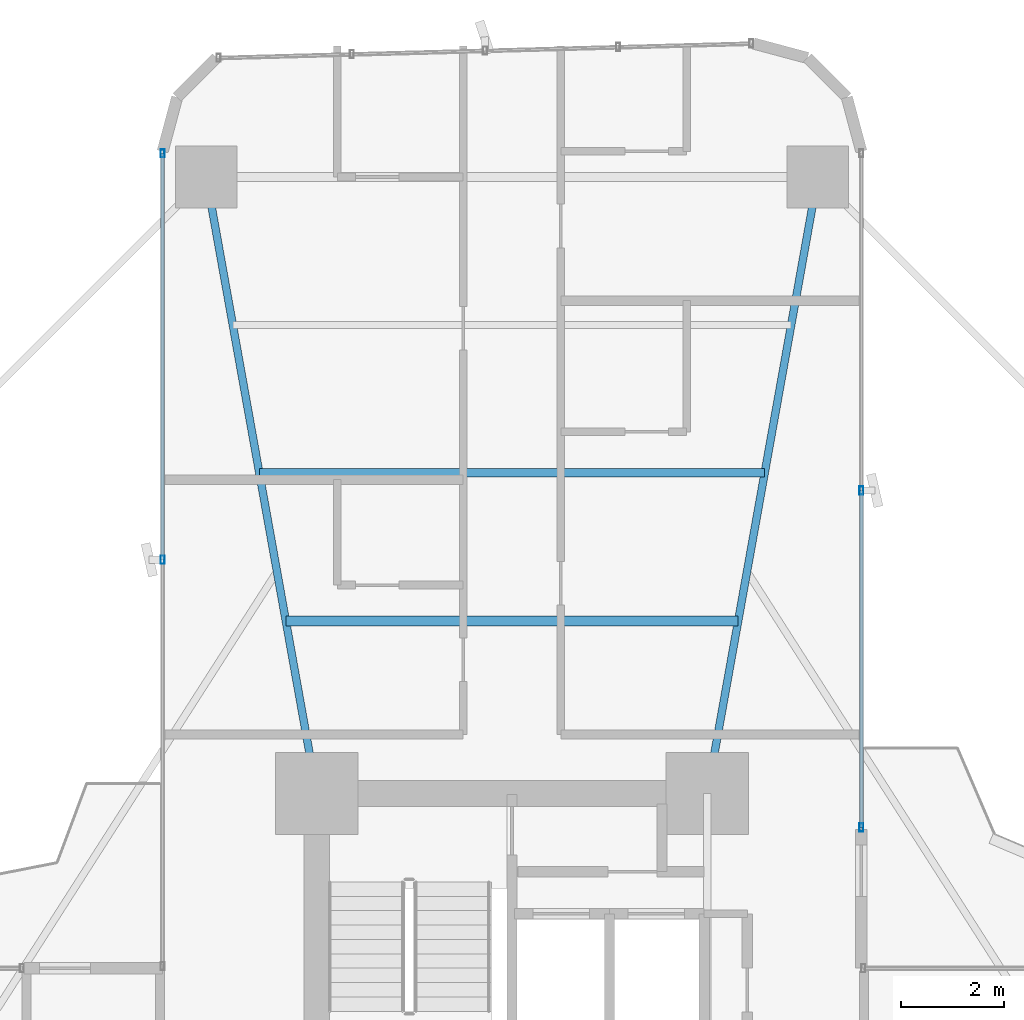
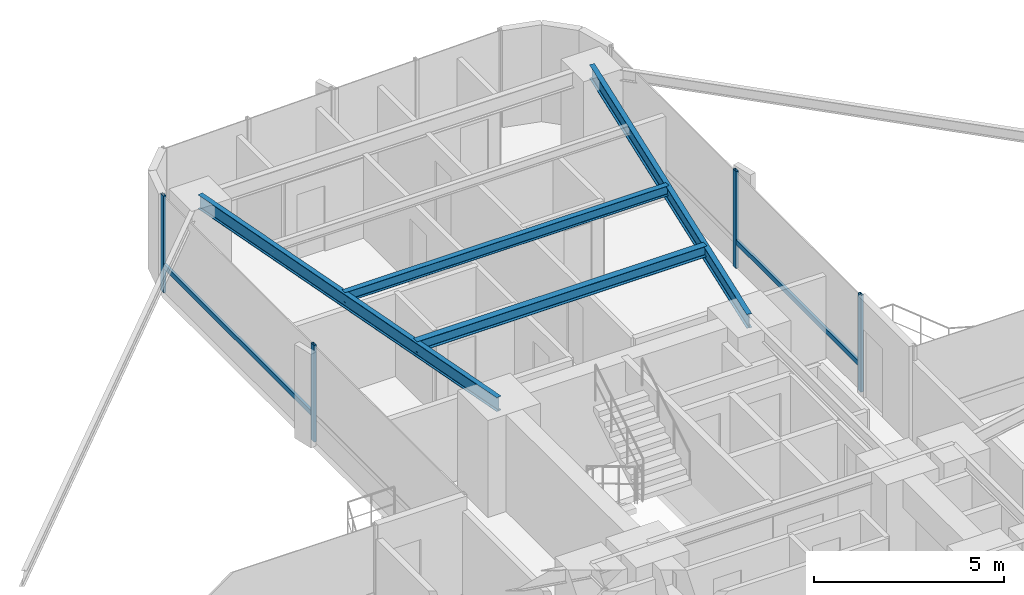
# One storey, part 18 of 26: 6 members, 4 beams, 2 elements without a shape of their own.
"""IFC4 building model written with IfcOpenShell, lengths in metres."""

import ifcopenshell
import ifcopenshell.guid

model = None  # the IFC model being written
_history = None  # IfcOwnerHistory: only IFC2X3 demands one
_inside = {}  # id of a spatial element -> (the spatial element, [elements in it])
_under = {}  # id of a project, library or spatial element -> (it, [spatial elements below it])
_declared = {}  # id of a project -> (the project, [libraries it declares])
_typed = {}  # id of a type object -> (the type object, [elements of that type])
_made_of = {}  # id of a material, layer set ... -> (it, [elements and type objects made of it])


def new_model(schema):
    """Start an empty IFC model of exactly this schema.

    Asked for "IFC4X3", IfcOpenShell would pick the latest addendum, in which some entities
    have other attributes; the version numbers below select the first issue.
    IFC2X3 requires an IfcOwnerHistory on every rooted entity: one is made here for all.
    """
    global model, _history
    if schema == "IFC4X3":
        model = ifcopenshell.file(schema_version=(4, 3, 0, 0))
    else:
        model = ifcopenshell.file(schema=schema)
    _inside.clear()
    _under.clear()
    _declared.clear()
    _typed.clear()
    _made_of.clear()
    _history = None
    if model.schema == "IFC2X3":
        org = make("IfcOrganization", Name="unknown")
        user = make(
            "IfcPersonAndOrganization",
            ThePerson=make("IfcPerson", FamilyName="unknown"),
            TheOrganization=org,
        )
        app = make(
            "IfcApplication",
            ApplicationDeveloper=org,
            Version="unknown",
            ApplicationFullName="unknown",
            ApplicationIdentifier="unknown",
        )
        _history = make(
            "IfcOwnerHistory",
            OwningUser=user,
            OwningApplication=app,
            ChangeAction="ADDED",
            CreationDate=0,
        )
    return model


def make(cls, **values):
    """One entity of the class cls with the attributes given. An attribute that is None is left unset."""
    return model.create_entity(
        cls, **{name: value for name, value in values.items() if value is not None}
    )


def rooted(cls, **values):
    """An entity with a GlobalId (a new one), such as an element, a storey or a relation."""
    return make(cls, GlobalId=ifcopenshell.guid.new(), OwnerHistory=_history, **values)


def si_unit(unit_type, name, prefix=None):
    """IfcSIUnit, for example si_unit("LENGTHUNIT", "METRE", prefix="MILLI")."""
    return make("IfcSIUnit", UnitType=unit_type, Prefix=prefix, Name=name)


def assignment(units):
    """IfcUnitAssignment: the units of a project."""
    return None if units is None else make("IfcUnitAssignment", Units=units)


def point(xyz):
    """IfcCartesianPoint."""
    return None if xyz is None else make("IfcCartesianPoint", Coordinates=xyz)


def direction(xyz):
    """IfcDirection."""
    return None if xyz is None else make("IfcDirection", DirectionRatios=xyz)


def frame(location, z_axis=None, x_axis=None):
    """IfcAxis2Placement3D, a coordinate frame: its origin and axes. An axis left out is left unset."""
    return make(
        "IfcAxis2Placement3D",
        Location=point(location),
        Axis=direction(z_axis),
        RefDirection=direction(x_axis),
    )


def frame_2d(location, x_axis=None):
    """IfcAxis2Placement2D, a coordinate frame in the plane: its origin and x axis."""
    return make(
        "IfcAxis2Placement2D", Location=point(location), RefDirection=direction(x_axis)
    )


def origin():
    """The frame at (0, 0, 0) with its axes left unset."""
    return frame((0.0, 0.0, 0.0))


def origin_2d():
    """The frame at (0, 0) in the plane with its x axis left unset."""
    return frame_2d((0.0, 0.0))


def place(relative_to, where):
    """IfcLocalPlacement: puts the frame where relative to a parent placement (None: the world)."""
    return make(
        "IfcLocalPlacement", PlacementRelTo=relative_to, RelativePlacement=where
    )


def context(
    kind, dimensions, precision=None, world=None, true_north=None, identifier=None
):
    """IfcGeometricRepresentationContext, for example the 3D "Model" context."""
    return make(
        "IfcGeometricRepresentationContext",
        ContextIdentifier=identifier,
        ContextType=kind,
        CoordinateSpaceDimension=dimensions,
        Precision=precision,
        WorldCoordinateSystem=world,
        TrueNorth=true_north,
    )


def subcontext(parent, identifier, kind, view, scale=None):
    """IfcGeometricRepresentationSubContext, for example "Body" below "Model"."""
    return make(
        "IfcGeometricRepresentationSubContext",
        ContextIdentifier=identifier,
        ContextType=kind,
        ParentContext=parent,
        TargetScale=scale,
        TargetView=view,
    )


def project(units=None, contexts=None):
    """IfcProject with its units and contexts."""
    return rooted(
        "IfcProject",
        Name="project",
        RepresentationContexts=contexts,
        UnitsInContext=assignment(units),
    )


def spatial(cls, under=None, at=None, **own):
    """A site, building, storey or space (cls), placed at a placement, below another one or the project."""
    s = rooted(cls, ObjectPlacement=at, **own)
    if under is not None:
        _under.setdefault(under.id(), (under, []))[1].append(s)
    return s


def profile(cls, at=None, kind="AREA", **sizes):
    """A parametric profile (cls). Its sizes go by their IFC names, for example OverallWidth=200.0."""
    return make(cls, ProfileType=kind, Position=at, **sizes)


def hollow_rectangle(**sizes):
    """IfcRectangleHollowProfileDef."""
    return profile("IfcRectangleHollowProfileDef", **sizes)


def i_section(**sizes):
    """IfcIShapeProfileDef."""
    return profile("IfcIShapeProfileDef", **sizes)


def extrude(swept, where, along, depth):
    """IfcExtrudedAreaSolid: the profile swept, set in the frame where, extruded along a direction by depth."""
    return make(
        "IfcExtrudedAreaSolid",
        SweptArea=swept,
        Position=where,
        ExtrudedDirection=direction(along),
        Depth=depth,
    )


def shape(context_of_items, identifier, shape_type, items):
    """IfcShapeRepresentation: the items that make up one representation, for example the "Body"."""
    return make(
        "IfcShapeRepresentation",
        ContextOfItems=context_of_items,
        RepresentationIdentifier=identifier,
        RepresentationType=shape_type,
        Items=items,
    )


def source(mapping_origin, context_of_items, identifier, shape_type, items):
    """IfcRepresentationMap: a shape defined once, which mapped items show again and again."""
    return make(
        "IfcRepresentationMap",
        MappingOrigin=mapping_origin,
        MappedRepresentation=shape(context_of_items, identifier, shape_type, items),
    )


def transform(
    local_origin,
    x_axis=None,
    y_axis=None,
    z_axis=None,
    scale=None,
    scale2=None,
    scale3=None,
    uniform=True,
):
    """IfcCartesianTransformationOperator3D, or its non-uniform kind. x_axis, y_axis, z_axis: its Axis1, 2, 3."""
    if uniform:
        return make(
            "IfcCartesianTransformationOperator3D",
            Axis1=direction(x_axis),
            Axis2=direction(y_axis),
            LocalOrigin=point(local_origin),
            Scale=scale,
            Axis3=direction(z_axis),
        )
    return make(
        "IfcCartesianTransformationOperator3DnonUniform",
        Axis1=direction(x_axis),
        Axis2=direction(y_axis),
        LocalOrigin=point(local_origin),
        Scale=scale,
        Axis3=direction(z_axis),
        Scale2=scale2,
        Scale3=scale3,
    )


def mapped(mapping_source, mapping_target):
    """IfcMappedItem: shows the shape of a source again, moved by a transform."""
    return make(
        "IfcMappedItem", MappingSource=mapping_source, MappingTarget=mapping_target
    )


def material(Name=None, Category=None):
    """IfcMaterial."""
    return make("IfcMaterial", Name=Name, Category=Category)


def material_profile(
    of_material, cross_section, Name=None, Category=None, Priority=None
):
    """IfcMaterialProfile: a cross section and its material."""
    return make(
        "IfcMaterialProfile",
        Name=Name,
        Material=of_material,
        Profile=cross_section,
        Priority=Priority,
        Category=Category,
    )


def profile_set(profiles, Name=None, composite=None):
    """IfcMaterialProfileSet."""
    return make(
        "IfcMaterialProfileSet",
        Name=Name,
        MaterialProfiles=profiles,
        CompositeProfile=composite,
    )


def made_of(thing, what):
    """Note that an element or type object is made of a material, layer set ...; save() writes the relation."""
    if what is not None:
        _made_of.setdefault(what.id(), (what, []))[1].append(thing)
    return thing


def type_object(cls, material=None, **own):
    """A type object (cls), such as IfcWallType, which elements share."""
    return made_of(rooted(cls, **own), material)


def element(
    cls,
    number,
    at=None,
    inside=None,
    cuts=None,
    type_object=None,
    material=None,
    context=None,
    identifier="Body",
    shape_type=None,
    held_by="IfcProductDefinitionShape",
    body=None,
    shapes=None,
    **own,
):
    """One element of the class cls, such as IfcWall. Its Tag is "e" and its number.

    at: its placement. inside: the storey or other place that contains it. cuts: it is an
    opening in that element (IfcRelVoidsElement). A single representation is given by context,
    identifier, shape_type and body (its items); several are given by shapes. held_by: the class
    of the entity that holds the representations. save() writes the other relations.
    """
    e = rooted(cls, Tag="e%d" % number, ObjectPlacement=at, **own)
    if body is not None:
        shapes = [shape(context, identifier, shape_type, body)]
    if shapes is not None:
        e.Representation = make(held_by, Representations=shapes)
    if inside is not None:
        _inside.setdefault(inside.id(), (inside, []))[1].append(e)
    if cuts is not None:
        rooted(
            "IfcRelVoidsElement", RelatingBuildingElement=cuts, RelatedOpeningElement=e
        )
    if type_object is not None:
        _typed.setdefault(type_object.id(), (type_object, []))[1].append(e)
    return made_of(e, material)


def aggregate(whole, parts):
    """IfcRelAggregates: a whole, such as a stair, and the parts it consists of."""
    return rooted("IfcRelAggregates", RelatingObject=whole, RelatedObjects=parts)


def save(model, path):
    """Write the relations noted so far, then the file.

    IfcRelAggregates (storeys below a building ...), IfcRelContainedInSpatialStructure (elements
    in a storey), IfcRelDefinesByType, IfcRelAssociatesMaterial and IfcRelDeclares: one each for
    every whole, place, type object, material and project.
    """
    for whole, parts in _under.values():
        aggregate(whole, parts)
    for where, things in _inside.values():
        rooted(
            "IfcRelContainedInSpatialStructure",
            RelatedElements=things,
            RelatingStructure=where,
        )
    for kind, things in _typed.values():
        rooted("IfcRelDefinesByType", RelatedObjects=things, RelatingType=kind)
    for what, things in _made_of.values():
        rooted("IfcRelAssociatesMaterial", RelatedObjects=things, RelatingMaterial=what)
    for by, libraries in _declared.values():
        rooted("IfcRelDeclares", RelatingContext=by, RelatedDefinitions=libraries)
    model.write(path)


model = new_model("IFC4")

# Units and contexts
model_context = context("Model", 3, precision=1e-05, world=origin(), true_north=direction((0.0, 1.0)))
body_context = subcontext(model_context, "Body", "Model", "MODEL_VIEW")
ifc_project = project(units=[si_unit("LENGTHUNIT", "METRE"), si_unit("AREAUNIT", "SQUARE_METRE"), si_unit("VOLUMEUNIT", "CUBIC_METRE"), si_unit("PLANEANGLEUNIT", "RADIAN"), si_unit("MASSUNIT", "GRAM", prefix="KILO")], contexts=[model_context])

# Site, building, storey
site_placement = place(None, origin())
site = spatial("IfcSite", under=ifc_project, at=site_placement, CompositionType="ELEMENT")
building_placement = place(site_placement, origin())
building = spatial("IfcBuilding", under=site, at=building_placement, Name="Sahyath Konkavel Grand Hotel", CompositionType="ELEMENT")
storey_placement = place(building_placement, frame((0.0, 0.0, 26.449951171875)))
storey = spatial("IfcBuildingStorey", under=building, at=storey_placement, Name="L06", CompositionType="ELEMENT", Elevation=26.449951171875)

# Beams
ifc_material_1 = material(Name="Steel E350", Category="steel")
ifc_material_profile_1 = material_profile(ifc_material_1, i_section(OverallWidth=0.14990234375, OverallDepth=0.449951171875, WebThickness=0.009521484375, FlangeThickness=0.017333984375, FilletRadius=0.014892578125, at=origin_2d()), Name="ISMB 450")
ifc_profile_set_1 = profile_set([ifc_material_profile_1], Name="Steel E350")
beam_type_1 = type_object("IfcBeamType", Name="BM-ISMB450", PredefinedType="BEAM", material=ifc_profile_set_1)
shared_shape_1 = source(origin(), body_context, "Body", "SweptSolid", [
    extrude(i_section(OverallWidth=0.14990234375, OverallDepth=0.449951171875, WebThickness=0.009521484375, FlangeThickness=0.017333984375, FilletRadius=0.014892578125, at=origin_2d()), origin(), (0.0, 0.0, 1.0), 12.191162109375),
])
for number, where, z_axis, x_axis, name in (
    (1, (3.800048828125, 10.199951171875, 2.885009765625), (0.176350650305, 0.984327409014, 0.0), (-0.984327409014, 0.176350650305, 0.0), "L06 Cruciform Radial Girder NA"),
    (2, (-3.800048828125, 10.199951171875, 2.885009765625), (-0.176350650305, 0.984327409014, 0.0), (-0.984327409014, -0.176350650305, 0.0), "L06 Cruciform Radial Girder NB"),
):
    element("IfcBeam", number, at=place(storey_placement, frame(where, z_axis=z_axis, x_axis=x_axis)), inside=storey, type_object=beam_type_1, Name=name, PredefinedType="BEAM", context=body_context, shape_type="MappedRepresentation", body=[
        mapped(shared_shape_1, transform((0.0, 0.0, 0.0), scale=1.0)),
    ])
ifc_material_profile_2 = material_profile(ifc_material_1, i_section(OverallWidth=0.199951171875, OverallDepth=0.35009765625, WebThickness=0.008056640625, FlangeThickness=0.011474609375, FilletRadius=0.013916015625, at=origin_2d()), Name="ISWB 350")
ifc_profile_set_2 = profile_set([ifc_material_profile_2], Name="Steel E350")
beam_type_2 = type_object("IfcBeamType", Name="BM-ISWB350", PredefinedType="BEAM", material=ifc_profile_set_2)
shared_shape_2 = source(origin(), body_context, "Body", "SweptSolid", [
    extrude(i_section(OverallWidth=0.199951171875, OverallDepth=0.35009765625, WebThickness=0.008056640625, FlangeThickness=0.011474609375, FilletRadius=0.013916015625, at=origin_2d()), origin(), (0.0, 0.0, 1.0), 8.80419921875),
])
beam_1_placement = place(storey_placement, frame((4.402099609375, 13.56005859375, 2.93505859375), z_axis=(-1.0, 0.0, 0.0), x_axis=(0.0, -1.0, 0.0)))
element("IfcBeam", 3, at=beam_1_placement, inside=storey, type_object=beam_type_2, Name="L06 Secondary Floor Beam N-1", PredefinedType="BEAM", context=body_context, shape_type="MappedRepresentation", body=[
    mapped(shared_shape_2, transform((0.0, 0.0, 0.0), scale=1.0)),
])
ifc_material_profile_3 = material_profile(ifc_material_1, i_section(OverallWidth=0.1650390625, OverallDepth=0.324951171875, WebThickness=0.007080078125, FlangeThickness=0.009765625, FilletRadius=0.014892578125, at=origin_2d()), Name="ISLB 325")
ifc_profile_set_3 = profile_set([ifc_material_profile_3], Name="Steel E350")
beam_type_3 = type_object("IfcBeamType", Name="BM-ISLB325", PredefinedType="BEAM", material=ifc_profile_set_3)
shared_shape_3 = source(origin(), body_context, "Body", "SweptSolid", [
    extrude(i_section(OverallWidth=0.1650390625, OverallDepth=0.324951171875, WebThickness=0.007080078125, FlangeThickness=0.009765625, FilletRadius=0.014892578125, at=origin_2d()), origin(), (0.0, 0.0, 1.0), 9.8359375),
])
beam_2_placement = place(storey_placement, frame((4.91796875, 16.43994140625, 2.947509765625), z_axis=(-1.0, 0.0, 0.0), x_axis=(0.0, -1.0, 0.0)))
element("IfcBeam", 4, at=beam_2_placement, inside=storey, type_object=beam_type_3, Name="L06 Secondary Floor Beam N-2", PredefinedType="BEAM", context=body_context, shape_type="MappedRepresentation", body=[
    mapped(shared_shape_3, transform((0.0, 0.0, 0.0), scale=1.0)),
])

# Curtain wall, member
ifc_material_2 = material(Name="Anodised Bronze Aluminium & Low-E Glazing", Category="aluminium")
curtain_wall_type = type_object("IfcCurtainWallType", Name="CW-ZONE1", PredefinedType="NOTDEFINED", material=ifc_material_2)
curtain_wall_1_placement = place(storey_placement, origin())
curtain_wall_1 = element("IfcCurtainWall", 5, at=curtain_wall_1_placement, inside=storey, type_object=curtain_wall_type, Name="L06 Unitised Curtain Wall F15", PredefinedType="NOTDEFINED")
ifc_material_3 = material(Name="Anodised Bronze Aluminium", Category="aluminium")
ifc_material_profile_4 = material_profile(ifc_material_3, hollow_rectangle(XDim=0.080078125, YDim=0.159912109375, WallThickness=0.006103515625, at=origin_2d()), Name="RHS 160x80x6")
ifc_profile_set_4 = profile_set([ifc_material_profile_4], Name="Anodised Bronze Aluminium")
member_type_1 = type_object("IfcMemberType", Name="CW-TRN-160", PredefinedType="USERDEFINED", material=ifc_profile_set_4)
shared_shape_4 = source(origin(), body_context, "Body", "SweptSolid", [
    extrude(hollow_rectangle(XDim=0.080078125, YDim=0.159912109375, WallThickness=0.006103515625, at=origin_2d()), origin(), (0.0, 0.0, 1.0), 7.909912109375),
])
member_1_placement = place(storey_placement, frame((-6.800048828125, 22.659912109375, 0.85009765625), z_axis=(0.0, -1.0, 0.0), x_axis=(1.0, 0.0, 0.0)))
member_1 = element("IfcMember", 6, at=member_1_placement, type_object=member_type_1, Name="L06 Curtain Wall Transom F15-0-spandrel", ObjectType="TRANSOM", PredefinedType="USERDEFINED", context=body_context, shape_type="MappedRepresentation", body=[
    mapped(shared_shape_4, transform((0.0, 0.0, 0.0), scale=1.0)),
])

# Curtain wall, members
curtain_wall_2_placement = place(storey_placement, origin())
curtain_wall_2 = element("IfcCurtainWall", 7, at=curtain_wall_2_placement, inside=storey, type_object=curtain_wall_type, Name="L06 Unitised Curtain Wall F8", PredefinedType="NOTDEFINED")
ifc_material_profile_5 = material_profile(ifc_material_3, hollow_rectangle(XDim=0.080078125, YDim=0.159912109375, WallThickness=0.006103515625, at=origin_2d()), Name="RHS 160x80x6")
ifc_profile_set_5 = profile_set([ifc_material_profile_5], Name="Anodised Bronze Aluminium")
member_type_2 = type_object("IfcMemberType", Name="CW-MUL-160", PredefinedType="MULLION", material=ifc_profile_set_5)
shared_shape_5 = source(origin(), body_context, "Body", "SweptSolid", [
    extrude(hollow_rectangle(XDim=0.080078125, YDim=0.159912109375, WallThickness=0.006103515625, at=origin_2d()), origin(), (0.0, 0.0, 1.0), 3.110107421875),
])
member_2_placement = place(storey_placement, frame((6.800048828125, 9.5400390625, 0.0), z_axis=(0.0, 0.0, 1.0), x_axis=(1.0, 0.0, 0.0)))
member_2 = element("IfcMember", 8, at=member_2_placement, type_object=member_type_2, Name="L06 Curtain Wall Mullion F8-0", PredefinedType="MULLION", context=body_context, shape_type="MappedRepresentation", body=[
    mapped(shared_shape_5, transform((0.0, 0.0, 0.0), scale=1.0)),
])
member_3_placement = place(storey_placement, frame((6.800048828125, 16.10009765625, 0.0), z_axis=(0.0, 0.0, 1.0), x_axis=(1.0, 0.0, 0.0)))
member_3 = element("IfcMember", 9, at=member_3_placement, type_object=member_type_2, Name="L06 Curtain Wall Mullion F8-1", PredefinedType="MULLION", context=body_context, shape_type="MappedRepresentation", body=[
    mapped(shared_shape_5, transform((0.0, 0.0, 0.0), scale=1.0)),
])

# Member
member_4_placement = place(storey_placement, frame((-6.800048828125, 22.659912109375, 0.0), z_axis=(0.0, 0.0, 1.0), x_axis=(1.0, 0.0, 0.0)))
member_4 = element("IfcMember", 10, at=member_4_placement, type_object=member_type_2, Name="L06 Curtain Wall Mullion F15-0", PredefinedType="MULLION", context=body_context, shape_type="MappedRepresentation", body=[
    mapped(shared_shape_5, transform((0.0, 0.0, 0.0), scale=1.0)),
])

member_5_placement = place(storey_placement, frame((-6.800048828125, 14.75, 0.0), z_axis=(0.0, 0.0, 1.0), x_axis=(1.0, 0.0, 0.0)))
member_5 = element("IfcMember", 11, at=member_5_placement, type_object=member_type_2, Name="L06 Curtain Wall Mullion F15-1", PredefinedType="MULLION", context=body_context, shape_type="MappedRepresentation", body=[
    mapped(shared_shape_5, transform((0.0, 0.0, 0.0), scale=1.0)),
])

aggregate(curtain_wall_1, [member_4, member_5, member_1])

shared_shape_6 = source(origin(), body_context, "Body", "SweptSolid", [
    extrude(hollow_rectangle(XDim=0.080078125, YDim=0.159912109375, WallThickness=0.006103515625, at=origin_2d()), origin(), (0.0, 0.0, 1.0), 6.56005859375),
])
member_6_placement = place(storey_placement, frame((6.800048828125, 9.5400390625, 0.85009765625), z_axis=(0.0, 1.0, 0.0), x_axis=(-1.0, 0.0, 0.0)))
member_6 = element("IfcMember", 12, at=member_6_placement, type_object=member_type_1, Name="L06 Curtain Wall Transom F8-0-spandrel", ObjectType="TRANSOM", PredefinedType="USERDEFINED", context=body_context, shape_type="MappedRepresentation", body=[
    mapped(shared_shape_6, transform((0.0, 0.0, 0.0), scale=1.0)),
])

aggregate(curtain_wall_2, [member_2, member_3, member_6])

save(model, "model.ifc")
